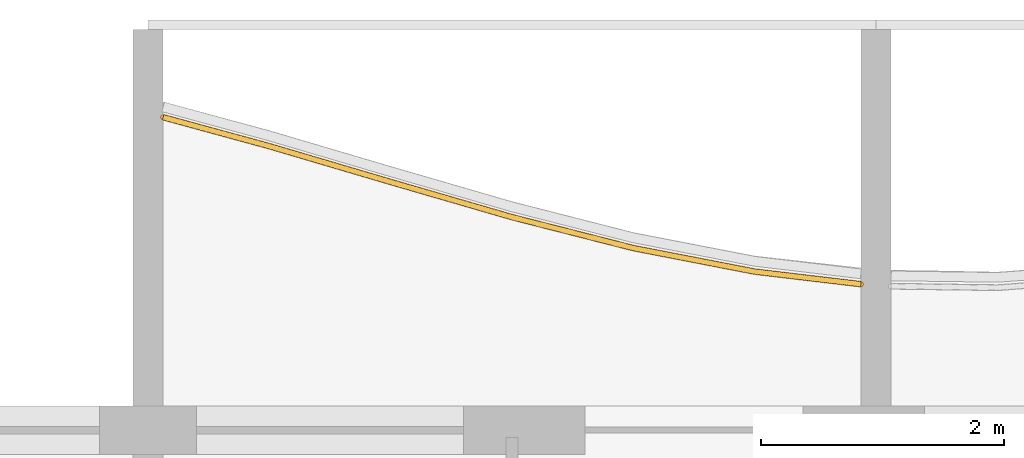
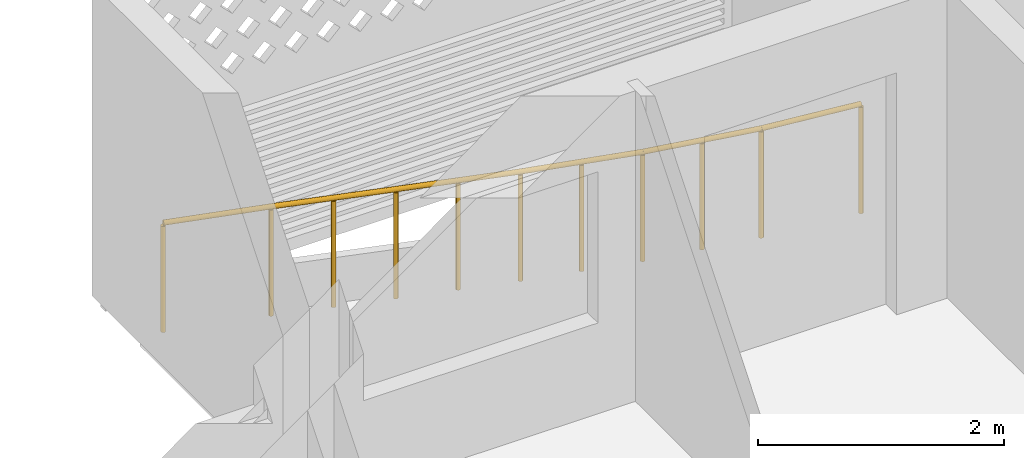
# One storey, part 19 of 26: 1 railing.
"""IFC4 building model written with IfcOpenShell, lengths in metres."""

from ifc_helpers import new_model, si_unit, direction, frame, origin, origin_2d, place, context, subcontext, project, spatial, circle, extrude, material, type_object, element, save


model = new_model("IFC4")

# Units and contexts
model_context = context("Model", 3, precision=1e-05, world=origin(), true_north=direction((0.0, 1.0)))
body_context = subcontext(model_context, "Body", "Model", "MODEL_VIEW")
ifc_project = project(units=[si_unit("LENGTHUNIT", "METRE"), si_unit("AREAUNIT", "SQUARE_METRE"), si_unit("VOLUMEUNIT", "CUBIC_METRE"), si_unit("PLANEANGLEUNIT", "RADIAN"), si_unit("MASSUNIT", "GRAM", prefix="KILO")], contexts=[model_context])

# Site, building, storey
site_placement = place(None, origin())
site = spatial("IfcSite", under=ifc_project, at=site_placement, CompositionType="ELEMENT")
building_placement = place(site_placement, origin())
building = spatial("IfcBuilding", under=site, at=building_placement, Name="Poui Terraces", CompositionType="ELEMENT")
storey_placement = place(building_placement, frame((0.0, 0.0, 178.5)))
storey = spatial("IfcBuildingStorey", under=building, at=storey_placement, Name="L49", CompositionType="ELEMENT", Elevation=178.5)

# Railing
ifc_material = material(Name="Painted steel fretwork", Category="steel")
railing_type = type_object("IfcRailingType", Name="BALCONY GUARD 1100", PredefinedType="GUARDRAIL", material=ifc_material)
railing_placement = place(storey_placement, frame((48.125, 43.77880859375, 0.0)))
element("IfcRailing", 1, at=railing_placement, inside=storey, type_object=railing_type, Name="BALCONY GUARD", PredefinedType="GUARDRAIL", context=body_context, shape_type="SweptSolid", body=[
    extrude(circle(Radius=0.02392578125, at=origin_2d()), frame((0.0, 0.0, 1.076171875), z_axis=(0.964794875477, -0.263003513767, 0.0), x_axis=(0.263003513767, 0.964794875477, 0.0)), (0.0, 0.0, 1.0), 0.906982421875),
    extrude(circle(Radius=0.02392578125, at=origin_2d()), frame((0.875, -0.238525390625, 1.076171875), z_axis=(0.959156425707, -0.282876211488, 0.0), x_axis=(0.282876211488, 0.959156425707, 0.0)), (0.0, 0.0, 1.0), 1.04248046875),
    extrude(circle(Radius=0.02392578125, at=origin_2d()), frame((1.875, -0.533447265625, 1.076171875), z_axis=(0.960419102414, -0.278559056071, 0.0), x_axis=(0.278559056071, 0.960419102414, 0.0)), (0.0, 0.0, 1.0), 1.041259765625),
    extrude(circle(Radius=0.02392578125, at=origin_2d()), frame((2.875, -0.823486328125, 1.076171875), z_axis=(0.969018976325, -0.246986282052, 0.0), x_axis=(0.246986282052, 0.969018976325, 0.0)), (0.0, 0.0, 1.0), 1.031982421875),
    extrude(circle(Radius=0.02392578125, at=origin_2d()), frame((3.875, -1.078369140625, 1.076171875), z_axis=(0.981724998512, -0.190305090044, 0.0), x_axis=(0.190305090044, 0.981724998512, 0.0)), (0.0, 0.0, 1.0), 1.0185546875),
    extrude(circle(Radius=0.02392578125, at=origin_2d()), frame((4.875, -1.272216796875, 1.076171875), z_axis=(0.993074741363, -0.117484288599, 0.0), x_axis=(0.117484288599, 0.993074741363, 0.0)), (0.0, 0.0, 1.0), 0.881103515625),
    extrude(circle(Radius=0.02099609375, at=origin_2d()), origin(), (0.0, 0.0, 1.0), 1.052001953125),
    extrude(circle(Radius=0.02099609375, at=origin_2d()), frame((0.875, -0.238525390625, 0.0)), (0.0, 0.0, 1.0), 1.052001953125),
    extrude(circle(Radius=0.02099609375, at=origin_2d()), frame((1.375, -0.385986328125, 0.0)), (0.0, 0.0, 1.0), 1.052001953125),
    extrude(circle(Radius=0.02099609375, at=origin_2d()), frame((1.875, -0.533447265625, 0.0)), (0.0, 0.0, 1.0), 1.052001953125),
    extrude(circle(Radius=0.02099609375, at=origin_2d()), frame((2.375, -0.678466796875, 0.0)), (0.0, 0.0, 1.0), 1.052001953125),
    extrude(circle(Radius=0.02099609375, at=origin_2d()), frame((2.875, -0.823486328125, 0.0)), (0.0, 0.0, 1.0), 1.052001953125),
    extrude(circle(Radius=0.02099609375, at=origin_2d()), frame((3.375, -0.950927734375, 0.0)), (0.0, 0.0, 1.0), 1.052001953125),
    extrude(circle(Radius=0.02099609375, at=origin_2d()), frame((3.875, -1.078369140625, 0.0)), (0.0, 0.0, 1.0), 1.052001953125),
    extrude(circle(Radius=0.02099609375, at=origin_2d()), frame((4.375, -1.17529296875, 0.0)), (0.0, 0.0, 1.0), 1.052001953125),
    extrude(circle(Radius=0.02099609375, at=origin_2d()), frame((4.875, -1.272216796875, 0.0)), (0.0, 0.0, 1.0), 1.052001953125),
    extrude(circle(Radius=0.02099609375, at=origin_2d()), frame((5.75, -1.375732421875, 0.0)), (0.0, 0.0, 1.0), 1.052001953125),
])

save(model, "model.ifc")
